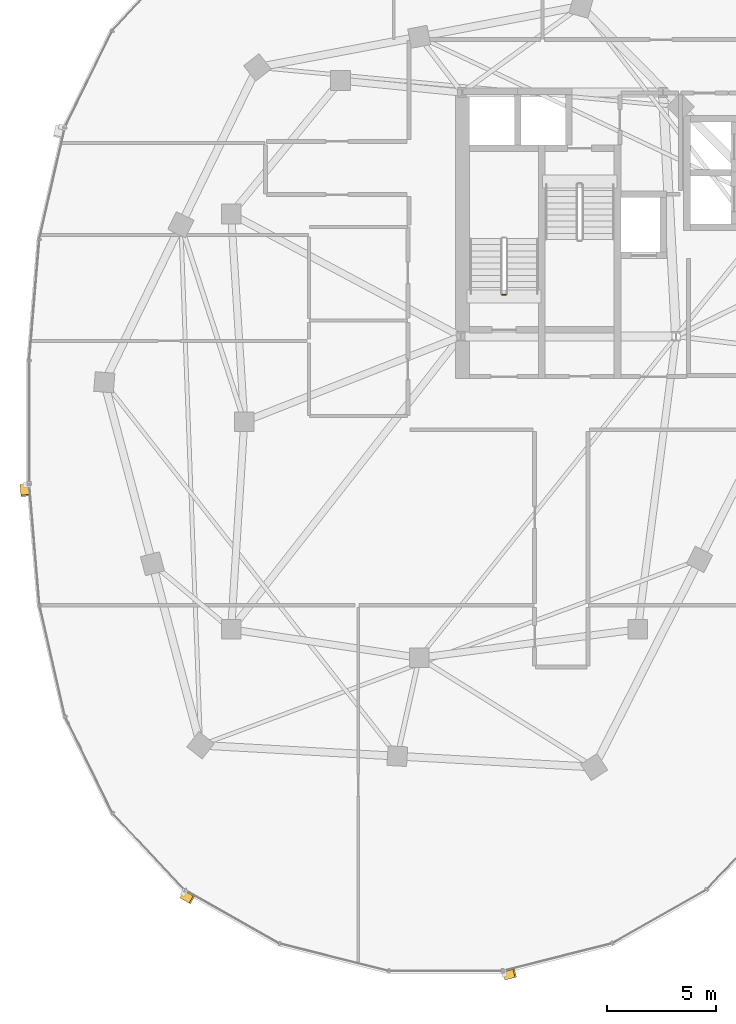
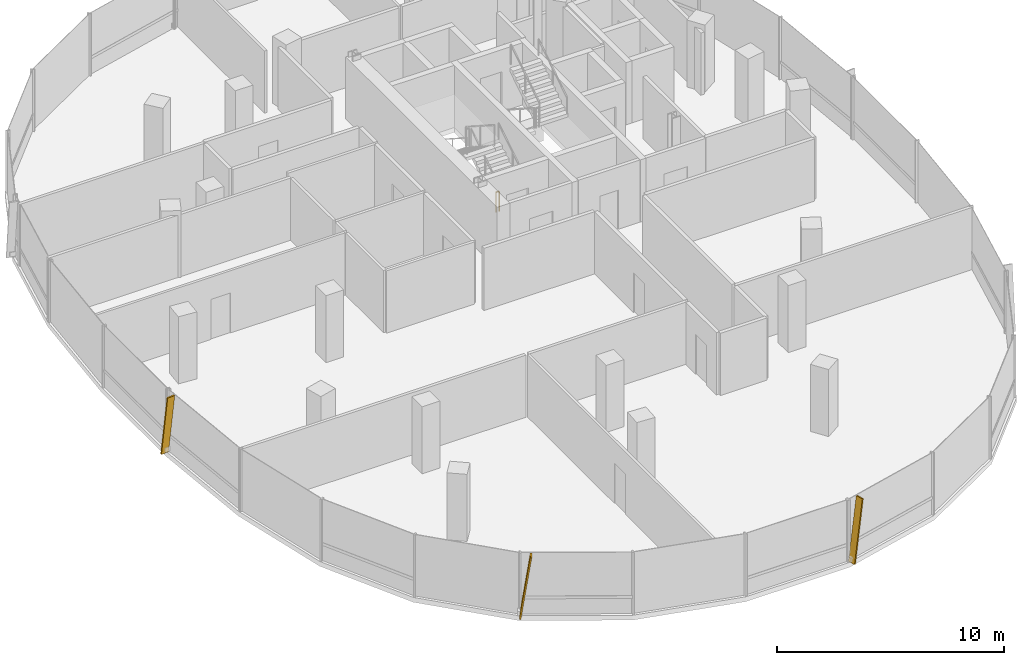
# One storey, part 21 of 25: 3 shading devices, 1 railing.
"""IFC4 building model written with IfcOpenShell, lengths in metres."""

from ifc_helpers import new_model, si_unit, direction, frame, origin, origin_2d, place, context, subcontext, project, spatial, rectangle, extrude, material, material_profile, profile_set, type_object, element, save


model = new_model("IFC4")

# Units and contexts
model_context = context("Model", 3, precision=1e-05, world=origin(), true_north=direction((0.0, 1.0)))
body_context = subcontext(model_context, "Body", "Model", "MODEL_VIEW")
ifc_project = project(units=[si_unit("LENGTHUNIT", "METRE"), si_unit("AREAUNIT", "SQUARE_METRE"), si_unit("VOLUMEUNIT", "CUBIC_METRE"), si_unit("PLANEANGLEUNIT", "RADIAN"), si_unit("MASSUNIT", "GRAM", prefix="KILO"), si_unit("THERMODYNAMICTEMPERATUREUNIT", "KELVIN"), si_unit("POWERUNIT", "WATT")], contexts=[model_context])

# Site, building, storey
site_placement = place(None, origin())
site = spatial("IfcSite", under=ifc_project, at=site_placement, CompositionType="ELEMENT")
building_placement = place(site_placement, origin())
building = spatial("IfcBuilding", under=site, at=building_placement, Name="Cundina Bronze Exchange", CompositionType="ELEMENT")
storey_placement = place(building_placement, frame((0.0, 0.0, 202.60009765625)))
storey = spatial("IfcBuildingStorey", under=building, at=storey_placement, Name="L53", CompositionType="ELEMENT", Elevation=202.60009765625)

# Railing
ifc_material_1 = material(Name="Steel ASTM A36 Painted", Category="steel")
railing_type = type_object("IfcRailingType", Name="RLG-STG-1100", PredefinedType="GUARDRAIL", material=ifc_material_1)
railing_placement = place(storey_placement, frame((-29.239990234375, 5.800048828125, 0.0)))
element("IfcRailing", 1, at=railing_placement, inside=storey, type_object=railing_type, Name="L53 ST-W1 stair guard 4", PredefinedType="GUARDRAIL", context=body_context, shape_type="SweptSolid", body=[
    extrude(rectangle(XDim=0.048095703125, YDim=0.048095703125, at=origin_2d()), frame((0.0, 0.0, 1.076171875), z_axis=(-1.0, 0.0, 0.0), x_axis=(0.0, -1.0, 0.0)), (0.0, 0.0, 1.0), 0.159912109375),
    extrude(rectangle(XDim=0.0419921875, YDim=0.0419921875, at=origin_2d()), origin(), (0.0, 0.0, 1.0), 1.052001953125),
    extrude(rectangle(XDim=0.0419921875, YDim=0.0419921875, at=origin_2d()), frame((-0.159912109375, 0.0, 0.0)), (0.0, 0.0, 1.0), 1.052001953125),
])

# Shading devices
ifc_material_2 = material(Name="Anodised Bronze Aluminium 6063-T6", Category="aluminium")
ifc_material_profile = material_profile(ifc_material_2, rectangle(XDim=0.070068359375, YDim=0.3798828125, at=origin_2d()), Name="FIN70X380", Category="aluminium")
ifc_profile_set = profile_set([ifc_material_profile], Name="Anodised Bronze Aluminium 6063-T6")
shading_device_type = type_object("IfcShadingDeviceType", Name="SHD-FIN-BRZ380", PredefinedType="USERDEFINED", material=ifc_profile_set)
for number, where, z_axis, x_axis, name in (
    (2, (-51.264404296875, -2.90283203125, 0.02001953125), (0.012007425696, -0.143430164259, 0.989587595774), (-0.082555708425, 0.986138004904, 0.143931894628), "L53 Diagonal Bronze Solar Fin 1"),
    (3, (-44.015625, -21.635498046875, 0.02001953125), (0.125198584402, -0.071092295587, 0.989581325598), (-0.86052566695, 0.48863767404, 0.143974997927), "L53 Diagonal Bronze Solar Fin 5"),
    (4, (-29.294189453125, -25.344482421875, 0.02001953125), (0.139622006633, 0.035143452115, 0.989581039146), (-0.959648570899, -0.241547621411, 0.143976966779), "L53 Diagonal Bronze Solar Fin 1"),
):
    element("IfcShadingDevice", number, at=place(storey_placement, frame(where, z_axis=z_axis, x_axis=x_axis)), inside=storey, type_object=shading_device_type, Name=name, ObjectType="FIN", PredefinedType="USERDEFINED", context=body_context, shape_type="SweptSolid", body=[
        extrude(rectangle(XDim=0.070068359375, YDim=0.3798828125, at=origin_2d()), origin(), (0.0, 0.0, 1.0), 3.33447265625),
    ])

save(model, "model.ifc")
